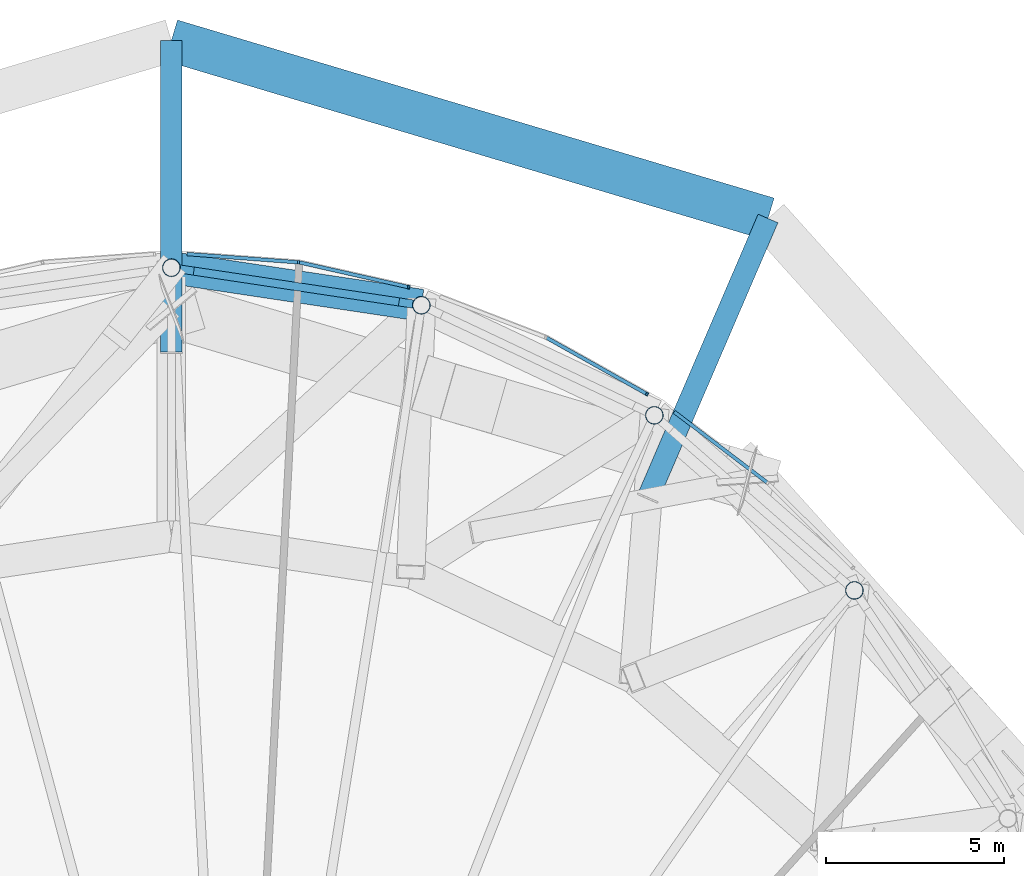
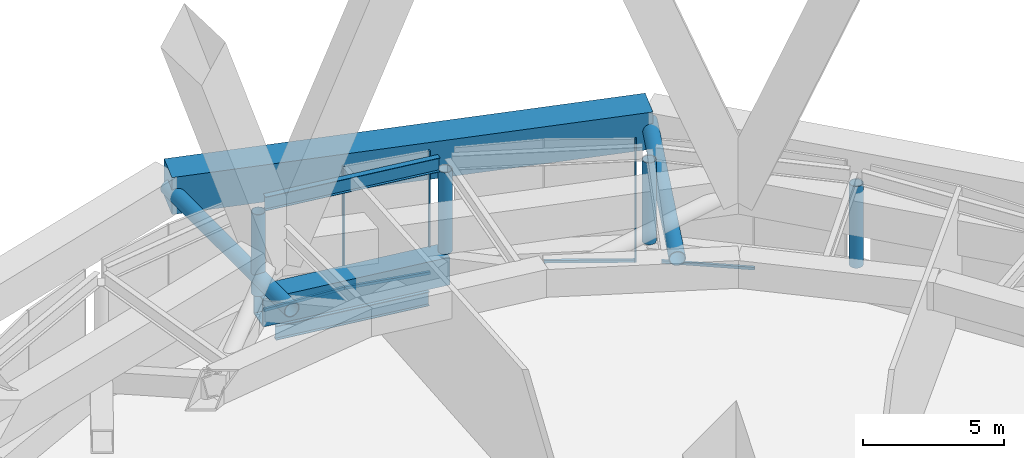
# One storey, part 48 of 65: 14 members, 3 beams, 4 elements without a shape of their own.
"""IFC4 building model written with IfcOpenShell, lengths in metres."""

from ifc_helpers import new_model, si_unit, direction, frame, origin, origin_2d, place, context, subcontext, project, spatial, rectangle, hollow_rectangle, hollow_circle, i_section, extrude, material, layer, layer_set, material_profile, profile_set, type_object, element, aggregate, save


model = new_model("IFC4")

# Units and contexts
model_context = context("Model", 3, precision=1e-05, world=origin(), true_north=direction((0.0, 1.0)))
body_context = subcontext(model_context, "Body", "Model", "MODEL_VIEW")
ifc_project = project(units=[si_unit("LENGTHUNIT", "METRE"), si_unit("AREAUNIT", "SQUARE_METRE"), si_unit("VOLUMEUNIT", "CUBIC_METRE"), si_unit("PLANEANGLEUNIT", "RADIAN"), si_unit("MASSUNIT", "GRAM", prefix="KILO")], contexts=[model_context])

# Site, building, storey
site_placement = place(None, origin())
site = spatial("IfcSite", under=ifc_project, at=site_placement, CompositionType="ELEMENT")
building_placement = place(site_placement, origin())
building = spatial("IfcBuilding", under=site, at=building_placement, Name="Nagisa Residences", CompositionType="ELEMENT")
storey_placement = place(building_placement, frame((0.0, 0.0, 114.0)))
storey = spatial("IfcBuildingStorey", under=building, at=storey_placement, Name="L28", CompositionType="ELEMENT", Elevation=114.0)

# Beam
ifc_material_1 = material(Name="Steel ASTM A572 Gr 50", Category="steel")
ifc_material_profile_1 = material_profile(ifc_material_1, hollow_rectangle(XDim=0.89990234375, YDim=1.199951171875, WallThickness=0.050048828125, at=origin_2d()), Name="BX 900x1200x50")
ifc_profile_set_1 = profile_set([ifc_material_profile_1], Name="Steel ASTM A572 Gr 50")
beam_type_1 = type_object("IfcBeamType", Name="Belt chord 2 BX 900x1200x50", PredefinedType="BEAM", material=ifc_profile_set_1)
beam_1_placement = place(storey_placement, frame((5.238525390625, 33.075927734375, 0.60009765625), z_axis=(-0.988913697291, 0.14849141157, 0.0), x_axis=(-0.14849141157, -0.988913697291, 0.0)))
element("IfcBeam", 1, at=beam_1_placement, inside=storey, type_object=beam_type_1, Name="beam:L28:bt2b06", PredefinedType="BEAM", context=body_context, shape_type="SweptSolid", body=[
    extrude(hollow_rectangle(XDim=0.89990234375, YDim=1.199951171875, WallThickness=0.050048828125, at=origin_2d()), origin(), (0.0, 0.0, 1.0), 7.117431640625),
])

# Curtain wall, member
ifc_material_2 = material(Name="Aluminium curtain wall system", Category="aluminium")
ifc_layer = layer(ifc_material_2, 0.159912109375)
ifc_layer_set = layer_set([ifc_layer], Name="CW5 CURTAIN WALL")
curtain_wall_type = type_object("IfcCurtainWallType", Name="CW5 CURTAIN WALL", PredefinedType="NOTDEFINED", material=ifc_layer_set)
curtain_wall_1_placement = place(storey_placement, origin())
curtain_wall_1 = element("IfcCurtainWall", 2, at=curtain_wall_1_placement, inside=storey, type_object=curtain_wall_type, Name="cw:CW5:L28:08", PredefinedType="NOTDEFINED")
ifc_material_3 = material(Name="Aluminium", Category="aluminium")
ifc_material_profile_2 = material_profile(ifc_material_3, rectangle(XDim=0.10009765625, YDim=0.06005859375, at=origin_2d()), Name="CW5 MULLION 100x60")
ifc_profile_set_2 = profile_set([ifc_material_profile_2], Name="Aluminium")
member_type_1 = type_object("IfcMemberType", Name="CW5 MULLION 100x60", PredefinedType="MULLION", material=ifc_profile_set_2)
member_1_placement = place(storey_placement, frame((11.58984375, 30.57568359375, 0.0), z_axis=(0.0, 0.0, 1.0), x_axis=(-0.489376918501, -0.872072377523, 0.0)))
member_1 = element("IfcMember", 3, at=member_1_placement, type_object=member_type_1, Name="CW5 mullion", PredefinedType="MULLION", context=body_context, shape_type="SweptSolid", body=[
    extrude(rectangle(XDim=0.10009765625, YDim=0.06005859375, at=origin_2d()), origin(), (0.0, 0.0, 1.0), 5.340087890625),
])

curtain_wall_2_placement = place(storey_placement, origin())
curtain_wall_2 = element("IfcCurtainWall", 4, at=curtain_wall_2_placement, inside=storey, type_object=curtain_wall_type, Name="cw:CW5:L28:10", PredefinedType="NOTDEFINED")
member_2_placement = place(storey_placement, frame((4.882080078125, 33.586669921875, 0.0), z_axis=(0.0, 0.0, 1.0), x_axis=(-0.2207639201, -0.975327274089, 0.0)))
member_2 = element("IfcMember", 5, at=member_2_placement, type_object=member_type_1, Name="CW5 mullion", PredefinedType="MULLION", context=body_context, shape_type="SweptSolid", body=[
    extrude(rectangle(XDim=0.10009765625, YDim=0.06005859375, at=origin_2d()), origin(), (0.0, 0.0, 1.0), 5.340087890625),
])

curtain_wall_3_placement = place(storey_placement, origin())
curtain_wall_3 = element("IfcCurtainWall", 6, at=curtain_wall_3_placement, inside=storey, type_object=curtain_wall_type, Name="cw:CW5:L28:11", PredefinedType="NOTDEFINED")
member_3_placement = place(storey_placement, frame((1.779052734375, 34.28564453125, 0.0), z_axis=(0.0, 0.0, 1.0), x_axis=(-0.074377355493, -0.997230168512, 0.0)))
member_3 = element("IfcMember", 7, at=member_3_placement, type_object=member_type_1, Name="CW5 mullion", PredefinedType="MULLION", context=body_context, shape_type="SweptSolid", body=[
    extrude(rectangle(XDim=0.10009765625, YDim=0.06005859375, at=origin_2d()), origin(), (0.0, 0.0, 1.0), 5.340087890625),
])

curtain_wall_4_placement = place(storey_placement, origin())
curtain_wall_4 = element("IfcCurtainWall", 8, at=curtain_wall_4_placement, inside=storey, type_object=curtain_wall_type, Name="cw:CW5:L28:07", PredefinedType="NOTDEFINED")
ifc_material_4 = material(Name="Aluminium", Category="aluminium")
ifc_material_profile_3 = material_profile(ifc_material_4, rectangle(XDim=0.10009765625, YDim=0.1201171875, at=origin_2d()), Name="CW5 TRANSOM 100x120")
ifc_profile_set_3 = profile_set([ifc_material_profile_3], Name="Aluminium")
member_type_2 = type_object("IfcMemberType", Name="CW5 TRANSOM 100x120", PredefinedType="USERDEFINED", material=ifc_profile_set_3)
member_4_placement = place(storey_placement, frame((15.01123046875, 28.056640625, 0.06005859375), z_axis=(-0.796054939885, 0.605224365574, 0.0), x_axis=(-0.605224365574, -0.796054939885, 0.0)))
member_4 = element("IfcMember", 9, at=member_4_placement, type_object=member_type_2, Name="CW5 transom", ObjectType="TRANSOM", PredefinedType="USERDEFINED", context=body_context, shape_type="SweptSolid", body=[
    extrude(rectangle(XDim=0.10009765625, YDim=0.1201171875, at=origin_2d()), origin(), (0.0, 0.0, 1.0), 3.333984375),
])
aggregate(curtain_wall_4, [member_4])

# Member
member_5_placement = place(storey_placement, frame((11.615966796875, 30.56103515625, 0.06005859375), z_axis=(-0.872078654251, 0.489365733169, 0.0), x_axis=(-0.489365733169, -0.872078654251, 0.0)))
member_5 = element("IfcMember", 10, at=member_5_placement, type_object=member_type_2, Name="CW5 transom", ObjectType="TRANSOM", PredefinedType="USERDEFINED", context=body_context, shape_type="SweptSolid", body=[
    extrude(rectangle(XDim=0.10009765625, YDim=0.1201171875, at=origin_2d()), origin(), (0.0, 0.0, 1.0), 3.275634765625),
])

aggregate(curtain_wall_1, [member_1, member_5])

member_6_placement = place(storey_placement, frame((4.911376953125, 33.580078125, 0.06005859375), z_axis=(-0.975312056045, 0.220831142129, 0.0), x_axis=(-0.220831142129, -0.975312056045, 0.0)))
member_6 = element("IfcMember", 11, at=member_6_placement, type_object=member_type_2, Name="CW5 transom", ObjectType="TRANSOM", PredefinedType="USERDEFINED", context=body_context, shape_type="SweptSolid", body=[
    extrude(rectangle(XDim=0.10009765625, YDim=0.1201171875, at=origin_2d()), origin(), (0.0, 0.0, 1.0), 3.19287109375),
])

aggregate(curtain_wall_2, [member_2, member_6])

member_7_placement = place(storey_placement, frame((1.80908203125, 34.283203125, 0.06005859375), z_axis=(-0.997226055641, 0.074432479132, 0.0), x_axis=(-0.074432479132, -0.997226055641, 0.0)))
member_7 = element("IfcMember", 12, at=member_7_placement, type_object=member_type_2, Name="CW5 transom", ObjectType="TRANSOM", PredefinedType="USERDEFINED", context=body_context, shape_type="SweptSolid", body=[
    extrude(rectangle(XDim=0.10009765625, YDim=0.1201171875, at=origin_2d()), origin(), (0.0, 0.0, 1.0), 3.175048828125),
])

aggregate(curtain_wall_3, [member_3, member_7])

# Members
ifc_material_5 = material(Name="Concrete C80", Category="concrete")
ifc_material_profile_4 = material_profile(ifc_material_5, rectangle(XDim=1.199951171875, YDim=1.60009765625, at=origin_2d()), Name="C80 1200x1600")
ifc_profile_set_4 = profile_set([ifc_material_profile_4], Name="Concrete C80")
member_type_3 = type_object("IfcMemberType", Name="Cage ring 2 C80 1200x1600", PredefinedType="CHORD", material=ifc_profile_set_4)
member_8_placement = place(storey_placement, frame((14.99755859375, 35.52001953125, 1.89990234375), z_axis=(-0.958242711372, 0.285956126185, 0.0), x_axis=(-0.285956126185, -0.958242711372, 0.0)))
element("IfcMember", 13, at=member_8_placement, inside=storey, type_object=member_type_3, Name="beam:L28:cg2r103", PredefinedType="CHORD", context=body_context, shape_type="SweptSolid", body=[
    extrude(rectangle(XDim=1.199951171875, YDim=1.60009765625, at=origin_2d()), origin(), (0.0, 0.0, 1.0), 17.529541015625),
])
ifc_material_6 = material(Name="Steel ASTM A572 Gr 65", Category="steel")
ifc_material_profile_5 = material_profile(ifc_material_6, hollow_circle(Radius=0.304931640625, WallThickness=0.02490234375, at=origin_2d()), Name="CHS 610x25")
ifc_profile_set_5 = profile_set([ifc_material_profile_5], Name="Steel ASTM A572 Gr 65")
member_type_4 = type_object("IfcMemberType", Name="Cage strut CHS 610x25", PredefinedType="STRUT", material=ifc_profile_set_5)
member_9_placement = place(storey_placement, frame((14.99755859375, 35.52001953125, 1.89990234375), z_axis=(-0.395279143735, -0.918561047796, 0.0), x_axis=(0.918561047796, -0.395279143735, 0.0)))
element("IfcMember", 14, at=member_9_placement, inside=storey, type_object=member_type_4, Name="mem:L28:bt2st2a03", PredefinedType="STRUT", context=body_context, shape_type="SweptSolid", body=[
    extrude(hollow_circle(Radius=0.304931640625, WallThickness=0.02490234375, at=origin_2d()), origin(), (0.0, 0.0, 1.0), 8.55615234375),
])
member_10_placement = place(storey_placement, frame((-1.800048828125, 40.53271484375, 1.89990234375), z_axis=(0.0, -1.0, 0.0), x_axis=(1.0, 0.0, 0.0)))
element("IfcMember", 15, at=member_10_placement, inside=storey, type_object=member_type_4, Name="mem:L28:bt2st2a04", PredefinedType="STRUT", context=body_context, shape_type="SweptSolid", body=[
    extrude(hollow_circle(Radius=0.304931640625, WallThickness=0.02490234375, at=origin_2d()), origin(), (0.0, 0.0, 1.0), 8.7724609375),
])

# Beam
ifc_material_7 = material(Name="Steel ASTM A572 Gr 50", Category="steel")
ifc_material_profile_6 = material_profile(ifc_material_7, i_section(OverallWidth=0.22802734375, OverallDepth=0.60302734375, WebThickness=0.010498046875, FlangeThickness=0.014892578125, at=origin_2d()), Name="W610x101")
ifc_profile_set_6 = profile_set([ifc_material_profile_6], Name="Steel ASTM A572 Gr 50")
beam_type_2 = type_object("IfcBeamType", Name="Garden edge beam W610x101", PredefinedType="BEAM", material=ifc_profile_set_6)
beam_2_placement = place(storey_placement, frame((5.007080078125, 33.110595703125, 5.03857421875), z_axis=(-0.988915336593, 0.148480493843, 0.0), x_axis=(-0.148480493843, -0.988915336593, 0.0)))
element("IfcBeam", 16, at=beam_2_placement, inside=storey, type_object=beam_type_2, Name="beam:L28:bt2ge06", PredefinedType="BEAM", context=body_context, shape_type="SweptSolid", body=[
    extrude(i_section(OverallWidth=0.22802734375, OverallDepth=0.60302734375, WebThickness=0.010498046875, FlangeThickness=0.014892578125, at=origin_2d()), origin(), (0.0, 0.0, 1.0), 6.6494140625),
])

# Members
ifc_material_8 = material(Name="Steel ASTM A572 Gr 65", Category="steel")
ifc_material_profile_7 = material_profile(ifc_material_8, hollow_circle(Radius=0.25390625, WallThickness=0.02001953125, at=origin_2d()), Name="CHS 508x20")
ifc_profile_set_7 = profile_set([ifc_material_profile_7], Name="Steel ASTM A572 Gr 65")
member_type_5 = type_object("IfcMemberType", Name="Garden edge post CHS 508x20", PredefinedType="POST", material=ifc_profile_set_7)
for number, where, z_axis, x_axis, name in (
    (17, (17.4296875, 25.048583984375, 1.199951171875), (0.0, 0.0, 1.0), (1.0, 0.0, 0.0), "mem:L28:gp204"),
    (18, (11.797607421875, 29.9775390625, 1.199951171875), (0.0, 0.0, 1.0), (1.0, 0.0, 0.0), "mem:L28:gp205"),
    (19, (5.238525390625, 33.075927734375, 1.199951171875), (0.0, 0.0, 1.0), (1.0, 0.0, 0.0), "mem:L28:gp206"),
    (20, (-1.800048828125, 34.1328125, 1.199951171875), (0.0, 0.0, 1.0), (1.0, 0.0, 0.0), "mem:L28:gp207"),
):
    element("IfcMember", number, at=place(storey_placement, frame(where, z_axis=z_axis, x_axis=x_axis)), inside=storey, type_object=member_type_5, Name=name, PredefinedType="POST", context=body_context, shape_type="SweptSolid", body=[
        extrude(hollow_circle(Radius=0.25390625, WallThickness=0.02001953125, at=origin_2d()), origin(), (0.0, 0.0, 1.0), 3.537109375),
    ])

# Beam
ifc_material_9 = material(Name="Steel ASTM A572 Gr 50", Category="steel")
ifc_material_profile_8 = material_profile(ifc_material_9, i_section(OverallWidth=0.22900390625, OverallDepth=0.612060546875, WebThickness=0.011962890625, FlangeThickness=0.01953125, at=origin_2d()), Name="W610x125")
ifc_profile_set_8 = profile_set([ifc_material_profile_8], Name="Steel ASTM A572 Gr 50")
beam_type_3 = type_object("IfcBeamType", Name="Perimeter ring beam W610x125", PredefinedType="BEAM", material=ifc_profile_set_8)
beam_3_placement = place(storey_placement, frame((4.608642578125, 33.17041015625, -0.656005859375), z_axis=(-0.988913048607, 0.148495731568, 0.0), x_axis=(-0.148495731568, -0.988913048607, 0.0)))
element("IfcBeam", 21, at=beam_3_placement, inside=storey, type_object=beam_type_3, Name="beam:L28:pb06", PredefinedType="BEAM", context=body_context, shape_type="SweptSolid", body=[
    extrude(i_section(OverallWidth=0.22900390625, OverallDepth=0.612060546875, WebThickness=0.011962890625, FlangeThickness=0.01953125, at=origin_2d()), origin(), (0.0, 0.0, 1.0), 5.843017578125),
])

save(model, "model.ifc")
